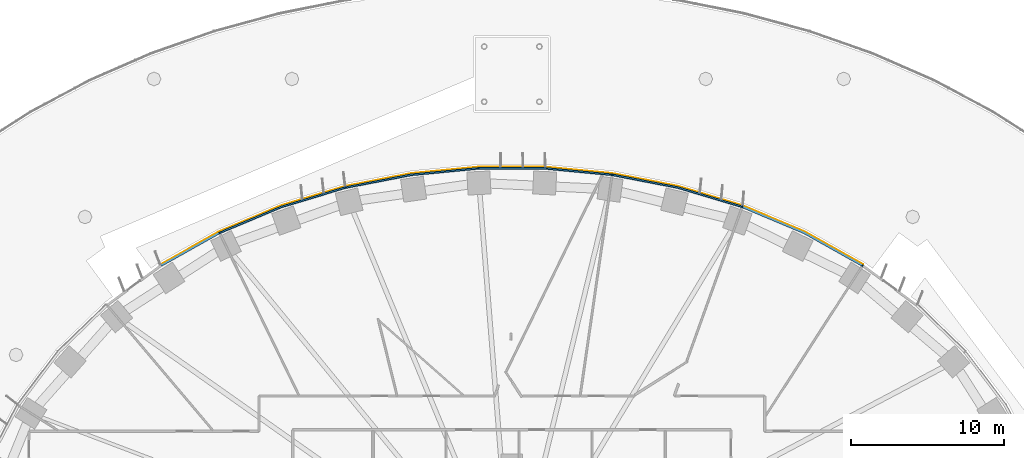
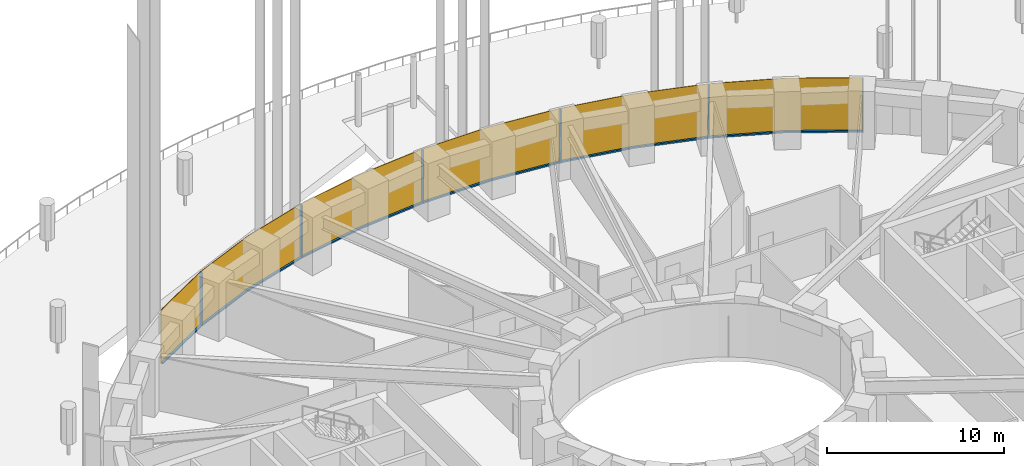
# One storey, part 20 of 30: 12 members, 1 curtain wall.
"""IFC4 building model written with IfcOpenShell, lengths in metres."""

from ifc_helpers import new_model, si_unit, direction, frame, origin, origin_2d, place, context, subcontext, project, spatial, polyline, rectangle, outline, extrude, material, layer, layer_set, material_profile, profile_set, type_object, element, aggregate, save


model = new_model("IFC4")

# Units and contexts
model_context = context("Model", 3, precision=1e-05, world=origin(), true_north=direction((0.0, 1.0)))
body_context = subcontext(model_context, "Body", "Model", "MODEL_VIEW")
ifc_project = project(units=[si_unit("LENGTHUNIT", "METRE"), si_unit("AREAUNIT", "SQUARE_METRE"), si_unit("VOLUMEUNIT", "CUBIC_METRE"), si_unit("PLANEANGLEUNIT", "RADIAN"), si_unit("MASSUNIT", "GRAM", prefix="KILO")], contexts=[model_context])

# Member
ifc_material_1 = material(Name="Aluminium 6063-T6 black anodised", Category="aluminium")
ifc_material_profile = material_profile(ifc_material_1, rectangle(XDim=0.1201171875, YDim=0.06005859375, at=origin_2d()), Name="120x60")
ifc_profile_set = profile_set([ifc_material_profile], Name="Aluminium 6063-T6 black anodised")
member_type_1 = type_object("IfcMemberType", Name="ENV-MULLION-A-120", PredefinedType="MULLION", material=ifc_profile_set)
site_placement = place(None, origin())
building_placement = place(site_placement, origin())
storey_placement = place(building_placement, frame((0.0, 0.0, 30.5)))
member_1_placement = place(storey_placement, frame((22.882568359375, 21.506591796875, 0.0), z_axis=(0.0, 0.0, 1.0), x_axis=(-0.542279153225, -0.840198381323, 0.0)))
member_1 = element("IfcMember", 1, at=member_1_placement, type_object=member_type_1, Name="Mullion A radial 07", PredefinedType="MULLION", context=body_context, shape_type="SweptSolid", body=[
    extrude(rectangle(XDim=0.1201171875, YDim=0.06005859375, at=origin_2d()), origin(), (0.0, 0.0, 1.0), 3.699951171875),
])

member_2_placement = place(storey_placement, frame((15.0341796875, 25.34375, 0.0), z_axis=(0.0, 0.0, 1.0), x_axis=(-0.338379256581, -0.941009818608, 0.0)))
member_2 = element("IfcMember", 2, at=member_2_placement, type_object=member_type_1, Name="Mullion A radial 09", PredefinedType="MULLION", context=body_context, shape_type="SweptSolid", body=[
    extrude(rectangle(XDim=0.1201171875, YDim=0.06005859375, at=origin_2d()), origin(), (0.0, 0.0, 1.0), 3.699951171875),
])

member_3_placement = place(storey_placement, frame((6.54638671875, 27.440185546875, 0.0), z_axis=(0.0, 0.0, 1.0), x_axis=(-0.143082012705, -0.989710835366, 0.0)))
member_3 = element("IfcMember", 3, at=member_3_placement, type_object=member_type_1, Name="Mullion A radial 11", PredefinedType="MULLION", context=body_context, shape_type="SweptSolid", body=[
    extrude(rectangle(XDim=0.1201171875, YDim=0.06005859375, at=origin_2d()), origin(), (0.0, 0.0, 1.0), 3.699951171875),
])

member_4_placement = place(storey_placement, frame((-2.188720703125, 27.856201171875, 0.0), z_axis=(0.0, 0.0, 1.0), x_axis=(0.047557873581, -0.998868484166, 0.0)))
member_4 = element("IfcMember", 4, at=member_4_placement, type_object=member_type_1, Name="Mullion A radial 13", PredefinedType="MULLION", context=body_context, shape_type="SweptSolid", body=[
    extrude(rectangle(XDim=0.1201171875, YDim=0.06005859375, at=origin_2d()), origin(), (0.0, 0.0, 1.0), 3.699951171875),
])

member_5_placement = place(storey_placement, frame((-10.84326171875, 26.60498046875, 0.0), z_axis=(0.0, 0.0, 1.0), x_axis=(0.239799081534, -0.970822538106, 0.0)))
member_5 = element("IfcMember", 5, at=member_5_placement, type_object=member_type_1, Name="Mullion A radial 15", PredefinedType="MULLION", context=body_context, shape_type="SweptSolid", body=[
    extrude(rectangle(XDim=0.1201171875, YDim=0.06005859375, at=origin_2d()), origin(), (0.0, 0.0, 1.0), 3.699951171875),
])

member_6_placement = place(storey_placement, frame((-19.06787109375, 23.6474609375, 0.0), z_axis=(0.0, 0.0, 1.0), x_axis=(0.439237769837, -0.898370848563, 0.0)))
member_6 = element("IfcMember", 6, at=member_6_placement, type_object=member_type_1, Name="Mullion A radial 17", PredefinedType="MULLION", context=body_context, shape_type="SweptSolid", body=[
    extrude(rectangle(XDim=0.1201171875, YDim=0.06005859375, at=origin_2d()), origin(), (0.0, 0.0, 1.0), 3.699951171875),
])

ifc_material_2 = material(Name="Aluminium 6063-T6 black anodised", Category="aluminium")
member_type_2 = type_object("IfcMemberType", Name="ENV-TRANSOM-A", PredefinedType="USERDEFINED", material=ifc_material_2)
member_7_placement = place(storey_placement, origin())
member_7 = element("IfcMember", 7, at=member_7_placement, type_object=member_type_2, Name="Transom A radial 07-09", ObjectType="TRANSOM", PredefinedType="USERDEFINED", context=body_context, shape_type="SweptSolid", body=[
    extrude(outline(polyline([(22.890625, 21.570556640625), (19.093994140625, 23.701416015625), (15.080322265625, 25.389404296875), (15.03955078125, 25.276123046875), (19.041259765625, 23.593505859375), (22.825439453125, 21.469482421875), (22.890625, 21.570556640625)])), origin(), (0.0, 0.0, 1.0), 0.10009765625),
])

member_8_placement = place(storey_placement, origin())
member_8 = element("IfcMember", 8, at=member_8_placement, type_object=member_type_2, Name="Transom A radial 09-11", ObjectType="TRANSOM", PredefinedType="USERDEFINED", context=body_context, shape_type="SweptSolid", body=[
    extrude(outline(polyline([(15.027587890625, 25.408203125), (10.857666015625, 26.6630859375), (6.58251953125, 27.494140625), (6.5654296875, 27.375244140625), (10.828857421875, 26.54638671875), (14.987060546875, 25.295166015625), (15.027587890625, 25.408203125)])), origin(), (0.0, 0.0, 1.0), 0.10009765625),
])

member_9_placement = place(storey_placement, origin())
member_9 = element("IfcMember", 9, at=member_9_placement, type_object=member_type_2, Name="Transom A radial 11-13", ObjectType="TRANSOM", PredefinedType="USERDEFINED", context=body_context, shape_type="SweptSolid", body=[
    extrude(outline(polyline([(6.527099609375, 27.502197265625), (2.191650390625, 27.916015625), (-2.163818359375, 27.916015625), (-2.157958984375, 27.7958984375), (2.185791015625, 27.7958984375), (6.510009765625, 27.38330078125), (6.527099609375, 27.502197265625)])), origin(), (0.0, 0.0, 1.0), 0.10009765625),
])

member_10_placement = place(storey_placement, origin())
member_10 = element("IfcMember", 10, at=member_10_placement, type_object=member_type_2, Name="Transom A radial 13-15", ObjectType="TRANSOM", PredefinedType="USERDEFINED", context=body_context, shape_type="SweptSolid", body=[
    extrude(outline(polyline([(-2.219482421875, 27.913330078125), (-6.55517578125, 27.49951171875), (-10.830078125, 26.66845703125), (-10.80126953125, 26.552001953125), (-6.537841796875, 27.380615234375), (-2.2138671875, 27.793212890625), (-2.219482421875, 27.913330078125)])), origin(), (0.0, 0.0, 1.0), 0.10009765625),
])

member_11_placement = place(storey_placement, origin())
member_11 = element("IfcMember", 11, at=member_11_placement, type_object=member_type_2, Name="Transom A radial 15-17", ObjectType="TRANSOM", PredefinedType="USERDEFINED", context=body_context, shape_type="SweptSolid", body=[
    extrude(outline(polyline([(-10.884521484375, 26.655029296875), (-15.054443359375, 25.400146484375), (-19.068359375, 23.71240234375), (-19.015380859375, 23.604248046875), (-15.013916015625, 25.287109375), (-10.855712890625, 26.53857421875), (-10.884521484375, 26.655029296875)])), origin(), (0.0, 0.0, 1.0), 0.10009765625),
])

member_12_placement = place(storey_placement, origin())
member_12 = element("IfcMember", 12, at=member_12_placement, type_object=member_type_2, Name="Transom A radial 17-18", ObjectType="TRANSOM", PredefinedType="USERDEFINED", context=body_context, shape_type="SweptSolid", body=[
    extrude(outline(polyline([(-19.11865234375, 23.687744140625), (-22.897705078125, 21.566650390625), (-22.83251953125, 21.4658203125), (-19.06591796875, 23.57958984375), (-19.11865234375, 23.687744140625)])), origin(), (0.0, 0.0, 1.0), 0.10009765625),
])

# Site, building, storey
site = spatial("IfcSite", under=ifc_project, at=site_placement, CompositionType="ELEMENT")
building = spatial("IfcBuilding", under=site, at=building_placement, Name="Noorbagh Ring Tower", CompositionType="ELEMENT")
storey = spatial("IfcBuildingStorey", under=building, at=storey_placement, Name="L05", CompositionType="ELEMENT", Elevation=30.5)

# Curtain wall
ifc_material_3 = material(Name="Glass dark tinted laminated", Category="glass")
ifc_layer = layer(ifc_material_3, 0.031982421875)
ifc_layer_set = layer_set([ifc_layer], Name="Glass dark tinted laminated")
curtain_wall_type = type_object("IfcCurtainWallType", Name="ENV-CW-A", PredefinedType="NOTDEFINED", material=ifc_layer_set)
curtain_wall_placement = place(storey_placement, origin())
curtain_wall = element("IfcCurtainWall", 13, at=curtain_wall_placement, inside=storey, type_object=curtain_wall_type, Name="Curtain wall A R07", PredefinedType="NOTDEFINED", context=body_context, shape_type="SweptSolid", body=[
    extrude(outline(polyline([(22.9150390625, 21.593505859375), (19.108154296875, 23.730224609375), (15.065185546875, 25.430419921875), (10.865234375, 26.6943359375), (6.559814453125, 27.53125), (2.193115234375, 27.947998046875), (-2.193115234375, 27.947998046875), (-6.559814453125, 27.53125), (-10.865234375, 26.6943359375), (-15.065185546875, 25.430419921875), (-19.108154296875, 23.730224609375), (-22.9150390625, 21.593505859375), (-22.897705078125, 21.566650390625), (-19.093994140625, 23.701416015625), (-15.054443359375, 25.400146484375), (-10.857666015625, 26.6630859375), (-6.55517578125, 27.49951171875), (-2.191650390625, 27.916015625), (2.191650390625, 27.916015625), (6.55517578125, 27.49951171875), (10.857666015625, 26.6630859375), (15.054443359375, 25.400146484375), (19.093994140625, 23.701416015625), (22.897705078125, 21.566650390625), (22.9150390625, 21.593505859375)])), origin(), (0.0, 0.0, 1.0), 3.699951171875),
])

aggregate(curtain_wall, [member_1, member_2, member_3, member_4, member_5, member_6, member_7, member_8, member_9, member_10, member_11, member_12])

save(model, "model.ifc")
